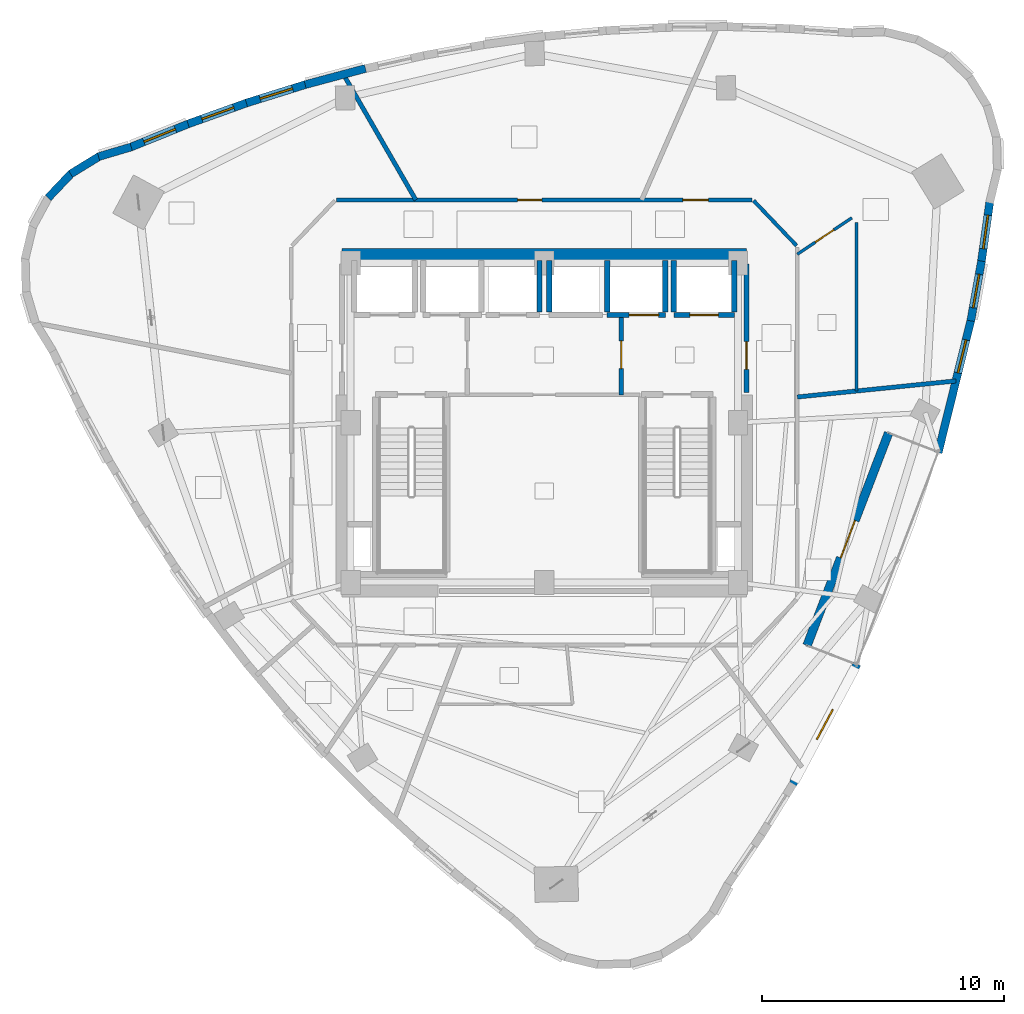
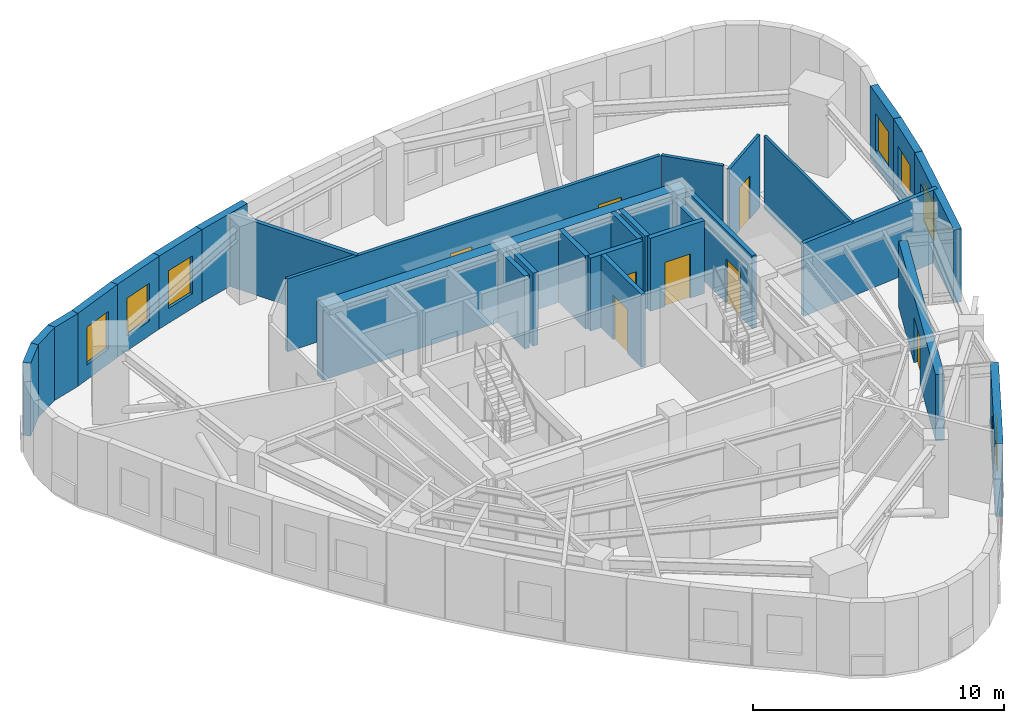
# One storey, part 6 of 10: 29 walls, 8 doors, 7 windows, 15 openings.
"""IFC4 building model written with IfcOpenShell, lengths in metres."""

from ifc_helpers import new_model, si_unit, direction, frame, frame_2d, origin, place, context, subcontext, project, spatial, rectangle, extrude, material, layer, layer_set, type_object, element, fill, save


model = new_model("IFC4")

# Units and contexts
model_context = context("Model", 3, precision=1e-05, world=origin(), true_north=direction((0.0, 1.0)))
body_context = subcontext(model_context, "Body", "Model", "MODEL_VIEW")
ifc_project = project(units=[si_unit("LENGTHUNIT", "METRE"), si_unit("AREAUNIT", "SQUARE_METRE"), si_unit("VOLUMEUNIT", "CUBIC_METRE"), si_unit("PLANEANGLEUNIT", "RADIAN"), si_unit("MASSUNIT", "GRAM", prefix="KILO")], contexts=[model_context])

# Site, building, storey
site_placement = place(None, origin())
site = spatial("IfcSite", under=ifc_project, at=site_placement, CompositionType="ELEMENT")
building_placement = place(site_placement, origin())
building = spatial("IfcBuilding", under=site, at=building_placement, Name="Ndelora Gate Hotel", CompositionType="ELEMENT")
storey_placement = place(building_placement, frame((0.0, 0.0, 243.550048828125)))
storey = spatial("IfcBuildingStorey", under=building, at=storey_placement, Name="L61", CompositionType="ELEMENT", Elevation=243.550048828125)

# Walls
ifc_material_1 = material(Name="Acoustic Double-Stud Gypsum Assembly", Category="gypsum")
ifc_layer_1 = layer(ifc_material_1, 0.179931640625)
ifc_layer_set_1 = layer_set([ifc_layer_1], Name="Acoustic Double-Stud Gypsum Assembly")
wall_type_1 = type_object("IfcWallType", Name="WL-ACOUST-180", PredefinedType="PARTITIONING", material=ifc_layer_set_1)
wall_1_placement = place(storey_placement, frame((10.449951171875, 1.060791015625, 0.0), z_axis=(0.0, 0.0, 1.0), x_axis=(0.994889305672, 0.100971626999, 0.0)))
element("IfcWall", 1, at=wall_1_placement, inside=storey, type_object=wall_type_1, Name="L61 Interior Wall IW-3", PredefinedType="PARTITIONING", context=body_context, shape_type="SweptSolid", body=[
    extrude(rectangle(XDim=6.58642578125, YDim=0.179931640625, at=frame_2d((3.293212890625, 0.0))), origin(), (0.0, 0.0, 1.0), 3.550048828125),
])
wall_2_placement = place(storey_placement, frame((-5.305419921875, 9.199951171875, 0.0), z_axis=(0.0, 0.0, 1.0), x_axis=(-0.499547119909, 0.866286716388, 0.0)))
element("IfcWall", 2, at=wall_2_placement, inside=storey, type_object=wall_type_1, Name="L61 Interior Wall IW-3", PredefinedType="PARTITIONING", context=body_context, shape_type="SweptSolid", body=[
    extrude(rectangle(XDim=5.9873046875, YDim=0.179931640625, at=frame_2d((2.99365234375, 0.0))), origin(), (0.0, 0.0, 1.0), 3.550048828125),
])
ifc_material_2 = material(Name="Clay Brick Masonry", Category="masonry")
ifc_layer_2 = layer(ifc_material_2, 0.330078125)
ifc_layer_set_2 = layer_set([ifc_layer_2], Name="Clay Brick Masonry")
wall_type_2 = type_object("IfcWallType", Name="WL-BRICK-330", PredefinedType="SOLIDWALL", material=ifc_layer_set_2)
for number, where, z_axis, x_axis, name in (
    (3, (-18.40966796875, 10.989013671875, 0.0), (0.0, 0.0, 1.0), (0.958780610545, 0.284147392812, 0.0), "L61 Tower Brick Pier-and-Spandrel Wall TWR-1"),
    (4, (-19.564453125, 10.273681640625, 0.0), (0.0, 0.0, 1.0), (0.852556375324, 0.522635271384, 0.0), "L61 Tower Brick Pier-and-Spandrel Wall TWR-2"),
    (5, (-20.494873046875, 9.2841796875, 0.0), (0.0, 0.0, 1.0), (0.688480442028, 0.725254907563, 0.0), "L61 Tower Brick Pier-and-Spandrel Wall TWR-3"),
):
    element("IfcWall", number, at=place(storey_placement, frame(where, z_axis=z_axis, x_axis=x_axis)), inside=storey, type_object=wall_type_2, Name=name, PredefinedType="SOLIDWALL", context=body_context, shape_type="SweptSolid", body=[
        extrude(rectangle(XDim=1.407470703125, YDim=0.330078125, at=frame_2d((0.70361328125, 0.0))), origin(), (0.0, 0.0, 1.0), 3.550048828125),
    ])

# Wall, opening, window
wall_3_placement = place(storey_placement, frame((12.919189453125, -9.967041015625, 0.0), z_axis=(0.0, 0.0, 1.0), x_axis=(-0.471219832314, -0.882015798971, 0.0)))
wall_3 = element("IfcWall", 6, at=wall_3_placement, inside=storey, type_object=wall_type_2, Name="L61 Tower Brick Pier-and-Spandrel Wall TWR-31", PredefinedType="SOLIDWALL", context=body_context, shape_type="SweptSolid", body=[
    extrude(rectangle(XDim=5.65673828125, YDim=0.330078125, at=frame_2d((2.828369140625, 0.0))), origin(), (0.0, 0.0, 1.0), 3.550048828125),
])
opening_1_placement = place(wall_3_placement, frame((2.12841796875, 0.0, 0.719970703125)))
opening_1 = element("IfcOpeningElement", 7, at=opening_1_placement, cuts=wall_3, Name="Opening W02", PredefinedType="OPENING", context=body_context, shape_type="SweptSolid", body=[
    extrude(rectangle(XDim=1.39990234375, YDim=1.8798828125, at=frame_2d((0.699951171875, 0.93994140625))), frame((0.0, 0.175048828125, 0.0), z_axis=(0.0, -1.0, 0.0), x_axis=(1.0, 0.0, 0.0)), (0.0, 0.0, 1.0), 0.35009765625),
])
ifc_material_3 = material(Name="Insulated Low-E Double Glazing in Bronze Aluminium Frame", Category="aluminium")
window_type = type_object("IfcWindowType", Name="WN-DEEP-1400", PartitioningType="SINGLE_PANEL", PredefinedType="WINDOW", material=ifc_material_3)
window_1_placement = place(opening_1_placement, origin())
window_1 = element("IfcWindow", 8, at=window_1_placement, inside=storey, type_object=window_type, Name="L61 Deep-Set Brick-Pier Window W02", OverallHeight=1.8798828125, OverallWidth=1.39990234375, PartitioningType="SINGLE_PANEL", PredefinedType="WINDOW", context=body_context, shape_type="SweptSolid", body=[
    extrude(rectangle(XDim=1.39990234375, YDim=1.8798828125, at=frame_2d((0.699951171875, 0.93994140625))), frame((0.0, 0.030029296875, 0.0), z_axis=(0.0, -1.0, 0.0), x_axis=(1.0, 0.0, 0.0)), (0.0, 0.0, 1.0), 0.06005859375),
])
fill(opening_1, window_1)

wall_4_placement = place(storey_placement, frame((17.627685546875, 4.253662109375, 0.0), z_axis=(0.0, 0.0, 1.0), x_axis=(-0.240006202067, -0.97077135463, 0.0)))
wall_4 = element("IfcWall", 9, at=wall_4_placement, inside=storey, type_object=wall_type_2, Name="L61 Tower Brick Pier-and-Spandrel Wall TWR-36", PredefinedType="SOLIDWALL", context=body_context, shape_type="SweptSolid", body=[
    extrude(rectangle(XDim=5.65673828125, YDim=0.330078125, at=frame_2d((2.828369140625, 0.0))), origin(), (0.0, 0.0, 1.0), 3.550048828125),
])
opening_2_placement = place(wall_4_placement, frame((0.860107421875, 0.0, 0.719970703125)))
opening_2 = element("IfcOpeningElement", 10, at=opening_2_placement, cuts=wall_4, Name="Opening W02", PredefinedType="OPENING", context=body_context, shape_type="SweptSolid", body=[
    extrude(rectangle(XDim=1.39990234375, YDim=1.8798828125, at=frame_2d((0.699951171875, 0.93994140625))), frame((0.0, 0.175048828125, 0.0), z_axis=(0.0, -1.0, 0.0), x_axis=(1.0, 0.0, 0.0)), (0.0, 0.0, 1.0), 0.35009765625),
])
window_2_placement = place(opening_2_placement, origin())
window_2 = element("IfcWindow", 11, at=window_2_placement, inside=storey, type_object=window_type, Name="L61 Deep-Set Brick-Pier Window W02", OverallHeight=1.8798828125, OverallWidth=1.39990234375, PartitioningType="SINGLE_PANEL", PredefinedType="WINDOW", context=body_context, shape_type="SweptSolid", body=[
    extrude(rectangle(XDim=1.39990234375, YDim=1.8798828125, at=frame_2d((0.699951171875, 0.93994140625))), frame((0.0, 0.030029296875, 0.0), z_axis=(0.0, -1.0, 0.0), x_axis=(1.0, 0.0, 0.0)), (0.0, 0.0, 1.0), 0.06005859375),
])
fill(opening_2, window_2)

wall_5_placement = place(storey_placement, frame((18.06005859375, 6.674072265625, 0.0), z_axis=(0.0, 0.0, 1.0), x_axis=(-0.176521442017, -0.984296794929, 0.0)))
wall_5 = element("IfcWall", 12, at=wall_5_placement, inside=storey, type_object=wall_type_2, Name="L61 Tower Brick Pier-and-Spandrel Wall TWR-37", PredefinedType="SOLIDWALL", context=body_context, shape_type="SweptSolid", body=[
    extrude(rectangle(XDim=2.5087890625, YDim=0.330078125, at=frame_2d((1.25439453125, 0.0))), origin(), (0.0, 0.0, 1.0), 3.550048828125),
])
opening_3_placement = place(wall_5_placement, frame((0.554443359375, 0.0, 0.719970703125)))
opening_3 = element("IfcOpeningElement", 13, at=opening_3_placement, cuts=wall_5, Name="Opening W02", PredefinedType="OPENING", context=body_context, shape_type="SweptSolid", body=[
    extrude(rectangle(XDim=1.39990234375, YDim=1.840087890625, at=frame_2d((0.699951171875, 0.919921875))), frame((0.0, 0.175048828125, 0.0), z_axis=(0.0, -1.0, 0.0), x_axis=(1.0, 0.0, 0.0)), (0.0, 0.0, 1.0), 0.35009765625),
])
window_3_placement = place(opening_3_placement, origin())
window_3 = element("IfcWindow", 14, at=window_3_placement, inside=storey, type_object=window_type, Name="L61 Deep-Set Brick-Pier Window W02", OverallHeight=1.840087890625, OverallWidth=1.39990234375, PartitioningType="SINGLE_PANEL", PredefinedType="WINDOW", context=body_context, shape_type="SweptSolid", body=[
    extrude(rectangle(XDim=1.39990234375, YDim=1.840087890625, at=frame_2d((0.699951171875, 0.919921875))), frame((0.0, 0.030029296875, 0.0), z_axis=(0.0, -1.0, 0.0), x_axis=(1.0, 0.0, 0.0)), (0.0, 0.0, 1.0), 0.06005859375),
])
fill(opening_3, window_3)

wall_6_placement = place(storey_placement, frame((18.40234375, 9.12939453125, 0.0), z_axis=(0.0, 0.0, 1.0), x_axis=(-0.138433861982, -0.990371680662, 0.0)))
wall_6 = element("IfcWall", 15, at=wall_6_placement, inside=storey, type_object=wall_type_2, Name="L61 Tower Brick Pier-and-Spandrel Wall TWR-38", PredefinedType="SOLIDWALL", context=body_context, shape_type="SweptSolid", body=[
    extrude(rectangle(XDim=2.529052734375, YDim=0.330078125, at=frame_2d((1.2646484375, 0.0))), origin(), (0.0, 0.0, 1.0), 3.550048828125),
])
opening_4_placement = place(wall_6_placement, frame((0.564453125, 0.0, 0.719970703125)))
opening_4 = element("IfcOpeningElement", 16, at=opening_4_placement, cuts=wall_6, Name="Opening W02", PredefinedType="OPENING", context=body_context, shape_type="SweptSolid", body=[
    extrude(rectangle(XDim=1.39990234375, YDim=1.840087890625, at=frame_2d((0.699951171875, 0.919921875))), frame((0.0, 0.175048828125, 0.0), z_axis=(0.0, -1.0, 0.0), x_axis=(1.0, 0.0, 0.0)), (0.0, 0.0, 1.0), 0.35009765625),
])
window_4_placement = place(opening_4_placement, origin())
window_4 = element("IfcWindow", 17, at=window_4_placement, inside=storey, type_object=window_type, Name="L61 Deep-Set Brick-Pier Window W02", OverallHeight=1.840087890625, OverallWidth=1.39990234375, PartitioningType="SINGLE_PANEL", PredefinedType="WINDOW", context=body_context, shape_type="SweptSolid", body=[
    extrude(rectangle(XDim=1.39990234375, YDim=1.840087890625, at=frame_2d((0.699951171875, 0.919921875))), frame((0.0, 0.030029296875, 0.0), z_axis=(0.0, -1.0, 0.0), x_axis=(1.0, 0.0, 0.0)), (0.0, 0.0, 1.0), 0.06005859375),
])
fill(opening_4, window_4)

# Wall
wall_7_placement = place(storey_placement, frame((-9.87744140625, 13.963134765625, 0.0), z_axis=(0.0, 0.0, 1.0), x_axis=(0.965959456539, 0.258693502667, 0.0)))
element("IfcWall", 18, at=wall_7_placement, inside=storey, type_object=wall_type_2, Name="L61 Tower Brick Pier-and-Spandrel Wall TWR-55", PredefinedType="SOLIDWALL", context=body_context, shape_type="SweptSolid", body=[
    extrude(rectangle(XDim=2.579345703125, YDim=0.330078125, at=frame_2d((1.28955078125, 0.0))), origin(), (0.0, 0.0, 1.0), 3.550048828125),
])

# Wall, opening, window
wall_8_placement = place(storey_placement, frame((-12.303955078125, 13.203857421875, 0.0), z_axis=(0.0, 0.0, 1.0), x_axis=(0.954466572658, 0.298317886956, 0.0)))
wall_8 = element("IfcWall", 19, at=wall_8_placement, inside=storey, type_object=wall_type_2, Name="L61 Tower Brick Pier-and-Spandrel Wall TWR-56", PredefinedType="SOLIDWALL", context=body_context, shape_type="SweptSolid", body=[
    extrude(rectangle(XDim=2.5927734375, YDim=0.330078125, at=frame_2d((1.29638671875, 0.0))), origin(), (0.0, 0.0, 1.0), 3.550048828125),
])
opening_5_placement = place(wall_8_placement, frame((0.59619140625, 0.0, 0.719970703125)))
opening_5 = element("IfcOpeningElement", 20, at=opening_5_placement, cuts=wall_8, Name="Opening W02", PredefinedType="OPENING", context=body_context, shape_type="SweptSolid", body=[
    extrude(rectangle(XDim=1.39990234375, YDim=1.840087890625, at=frame_2d((0.699951171875, 0.919921875))), frame((0.0, 0.175048828125, 0.0), z_axis=(0.0, -1.0, 0.0), x_axis=(1.0, 0.0, 0.0)), (0.0, 0.0, 1.0), 0.35009765625),
])
window_5_placement = place(opening_5_placement, origin())
window_5 = element("IfcWindow", 21, at=window_5_placement, inside=storey, type_object=window_type, Name="L61 Deep-Set Brick-Pier Window W02", OverallHeight=1.840087890625, OverallWidth=1.39990234375, PartitioningType="SINGLE_PANEL", PredefinedType="WINDOW", context=body_context, shape_type="SweptSolid", body=[
    extrude(rectangle(XDim=1.39990234375, YDim=1.840087890625, at=frame_2d((0.699951171875, 0.919921875))), frame((0.0, 0.030029296875, 0.0), z_axis=(0.0, -1.0, 0.0), x_axis=(1.0, 0.0, 0.0)), (0.0, 0.0, 1.0), 0.06005859375),
])
fill(opening_5, window_5)

wall_9_placement = place(storey_placement, frame((-14.7138671875, 12.340087890625, 0.0), z_axis=(0.0, 0.0, 1.0), x_axis=(0.94149404684, 0.337029612594, 0.0)))
wall_9 = element("IfcWall", 22, at=wall_9_placement, inside=storey, type_object=wall_type_2, Name="L61 Tower Brick Pier-and-Spandrel Wall TWR-57", PredefinedType="SOLIDWALL", context=body_context, shape_type="SweptSolid", body=[
    extrude(rectangle(XDim=2.60986328125, YDim=0.330078125, at=frame_2d((1.304931640625, 0.0))), origin(), (0.0, 0.0, 1.0), 3.550048828125),
])
opening_6_placement = place(wall_9_placement, frame((0.60498046875, 0.0, 0.719970703125)))
opening_6 = element("IfcOpeningElement", 23, at=opening_6_placement, cuts=wall_9, Name="Opening W02", PredefinedType="OPENING", context=body_context, shape_type="SweptSolid", body=[
    extrude(rectangle(XDim=1.39990234375, YDim=1.840087890625, at=frame_2d((0.699951171875, 0.919921875))), frame((0.0, 0.175048828125, 0.0), z_axis=(0.0, -1.0, 0.0), x_axis=(1.0, 0.0, 0.0)), (0.0, 0.0, 1.0), 0.35009765625),
])
window_6_placement = place(opening_6_placement, origin())
window_6 = element("IfcWindow", 24, at=window_6_placement, inside=storey, type_object=window_type, Name="L61 Deep-Set Brick-Pier Window W02", OverallHeight=1.840087890625, OverallWidth=1.39990234375, PartitioningType="SINGLE_PANEL", PredefinedType="WINDOW", context=body_context, shape_type="SweptSolid", body=[
    extrude(rectangle(XDim=1.39990234375, YDim=1.840087890625, at=frame_2d((0.699951171875, 0.919921875))), frame((0.0, 0.030029296875, 0.0), z_axis=(0.0, -1.0, 0.0), x_axis=(1.0, 0.0, 0.0)), (0.0, 0.0, 1.0), 0.06005859375),
])
fill(opening_6, window_6)

wall_10_placement = place(storey_placement, frame((-17.107421875, 11.372314453125, 0.0), z_axis=(0.0, 0.0, 1.0), x_axis=(0.927223872231, 0.374507530985, 0.0)))
wall_10 = element("IfcWall", 25, at=wall_10_placement, inside=storey, type_object=wall_type_2, Name="L61 Tower Brick Pier-and-Spandrel Wall TWR-58", PredefinedType="SOLIDWALL", context=body_context, shape_type="SweptSolid", body=[
    extrude(rectangle(XDim=2.631591796875, YDim=0.330078125, at=frame_2d((1.31591796875, 0.0))), origin(), (0.0, 0.0, 1.0), 3.550048828125),
])
opening_7_placement = place(wall_10_placement, frame((0.61572265625, 0.0, 0.719970703125)))
opening_7 = element("IfcOpeningElement", 26, at=opening_7_placement, cuts=wall_10, Name="Opening W02", PredefinedType="OPENING", context=body_context, shape_type="SweptSolid", body=[
    extrude(rectangle(XDim=1.39990234375, YDim=1.840087890625, at=frame_2d((0.699951171875, 0.919921875))), frame((0.0, 0.175048828125, 0.0), z_axis=(0.0, -1.0, 0.0), x_axis=(1.0, 0.0, 0.0)), (0.0, 0.0, 1.0), 0.35009765625),
])
window_7_placement = place(opening_7_placement, origin())
window_7 = element("IfcWindow", 27, at=window_7_placement, inside=storey, type_object=window_type, Name="L61 Deep-Set Brick-Pier Window W02", OverallHeight=1.840087890625, OverallWidth=1.39990234375, PartitioningType="SINGLE_PANEL", PredefinedType="WINDOW", context=body_context, shape_type="SweptSolid", body=[
    extrude(rectangle(XDim=1.39990234375, YDim=1.840087890625, at=frame_2d((0.699951171875, 0.919921875))), frame((0.0, 0.030029296875, 0.0), z_axis=(0.0, -1.0, 0.0), x_axis=(1.0, 0.0, 0.0)), (0.0, 0.0, 1.0), 0.06005859375),
])
fill(opening_7, window_7)

# Wall, opening, door
ifc_layer_3 = layer(ifc_material_2, 0.360107421875)
ifc_layer_set_3 = layer_set([ifc_layer_3], Name="Clay Brick Masonry")
wall_type_3 = type_object("IfcWallType", Name="WL-BRICK-360", PredefinedType="SOLIDWALL", material=ifc_layer_set_3)
wall_11_placement = place(storey_placement, frame((14.22216796875, -0.425048828125, 0.0), z_axis=(0.0, 0.0, 1.0), x_axis=(-0.358368113904, -0.933580363406, 0.0)))
wall_11 = element("IfcWall", 28, at=wall_11_placement, inside=storey, type_object=wall_type_3, Name="L61 Sky-Garden Loggia Rear Brick Wall", PredefinedType="SOLIDWALL", context=body_context, shape_type="SweptSolid", body=[
    extrude(rectangle(XDim=9.39990234375, YDim=0.360107421875, at=frame_2d((4.699951171875, 0.0))), origin(), (0.0, 0.0, 1.0), 3.22998046875),
])
opening_8_placement = place(wall_11_placement, frame((3.875, 0.0, 0.0)))
opening_8 = element("IfcOpeningElement", 29, at=opening_8_placement, cuts=wall_11, Name="Opening TD1", PredefinedType="OPENING", context=body_context, shape_type="SweptSolid", body=[
    extrude(rectangle(XDim=1.64990234375, YDim=2.25, at=frame_2d((0.824951171875, 1.125))), frame((0.0, 0.18994140625, 0.0), z_axis=(0.0, -1.0, 0.0), x_axis=(1.0, 0.0, 0.0)), (0.0, 0.0, 1.0), 0.380126953125),
])
ifc_material_4 = material(Name="Architectural Bronze Glazed Door", Category="metal")
door_type_1 = type_object("IfcDoorType", Name="DR-TER-1650", OperationType="DOUBLE_DOOR_SINGLE_SWING", PredefinedType="DOOR", material=ifc_material_4)
door_1_placement = place(opening_8_placement, origin())
door_1 = element("IfcDoor", 30, at=door_1_placement, inside=storey, type_object=door_type_1, Name="L61 Sky-Garden Terrace Double Door TD1", OperationType="DOUBLE_DOOR_SINGLE_SWING", OverallHeight=2.25, OverallWidth=1.64990234375, PredefinedType="DOOR", context=body_context, shape_type="SweptSolid", body=[
    extrude(rectangle(XDim=1.64990234375, YDim=2.25, at=frame_2d((0.824951171875, 1.125))), frame((0.0, 0.02490234375, 0.0), z_axis=(0.0, -1.0, 0.0), x_axis=(1.0, 0.0, 0.0)), (0.0, 0.0, 1.0), 0.050048828125),
])
fill(opening_8, door_1)

# Wall
ifc_material_5 = material(Name="Concrete C50/60", Category="concrete")
ifc_layer_4 = layer(ifc_material_5, 0.5)
ifc_layer_set_4 = layer_set([ifc_layer_4], Name="Concrete C50/60")
wall_type_4 = type_object("IfcWallType", Name="WL-CORE-500", PredefinedType="SHEAR", material=ifc_layer_set_4)
wall_12_placement = place(storey_placement, frame((-8.35009765625, 6.949951171875, 0.0), z_axis=(0.0, 0.0, 1.0), x_axis=(1.0, 0.0, 0.0)))
element("IfcWall", 31, at=wall_12_placement, inside=storey, type_object=wall_type_4, Name="L61 Core Shear Wall N", PredefinedType="SHEAR", context=body_context, shape_type="SweptSolid", body=[
    extrude(rectangle(XDim=16.7001953125, YDim=0.5, at=frame_2d((8.35009765625, 0.0))), origin(), (0.0, 0.0, 1.0), 3.550048828125),
])

# Wall, opening, door
ifc_material_6 = material(Name="Concrete C40/50", Category="concrete")
ifc_layer_5 = layer(ifc_material_6, 0.199951171875)
ifc_layer_set_5 = layer_set([ifc_layer_5], Name="Concrete C40/50")
wall_type_5 = type_object("IfcWallType", Name="WL-FIRE-200", PredefinedType="PARTITIONING", material=ifc_layer_set_5)
wall_13_placement = place(storey_placement, frame((3.179931640625, 1.14990234375, 0.0), z_axis=(0.0, 0.0, 1.0), x_axis=(0.0, 1.0, 0.0)))
wall_13 = element("IfcWall", 32, at=wall_13_placement, inside=storey, type_object=wall_type_5, Name="L61 Interior Wall IW-2", PredefinedType="PARTITIONING", context=body_context, shape_type="SweptSolid", body=[
    extrude(rectangle(XDim=3.300048828125, YDim=0.199951171875, at=frame_2d((1.64990234375, 0.0))), origin(), (0.0, 0.0, 1.0), 3.550048828125),
])
opening_9_placement = place(wall_13_placement, frame((1.080078125, 0.0, 0.0)))
opening_9 = element("IfcOpeningElement", 33, at=opening_9_placement, cuts=wall_13, Name="Opening FD1", PredefinedType="OPENING", context=body_context, shape_type="SweptSolid", body=[
    extrude(rectangle(XDim=1.14990234375, YDim=2.14990234375, at=frame_2d((0.574951171875, 1.074951171875))), frame((0.0, 0.10986328125, 0.0), z_axis=(0.0, -1.0, 0.0), x_axis=(1.0, 0.0, 0.0)), (0.0, 0.0, 1.0), 0.219970703125),
])
ifc_material_7 = material(Name="Fire-Rated Timber-Veneer Steel Core", Category="steel")
door_type_2 = type_object("IfcDoorType", Name="DR-FD60", OperationType="SINGLE_SWING_LEFT", PredefinedType="DOOR", material=ifc_material_7)
door_2_placement = place(opening_9_placement, origin())
door_2 = element("IfcDoor", 34, at=door_2_placement, inside=storey, type_object=door_type_2, Name="L61 Firefighting Lobby East Door", OperationType="SINGLE_SWING_LEFT", OverallHeight=2.14990234375, OverallWidth=1.14990234375, PredefinedType="DOOR", context=body_context, shape_type="SweptSolid", body=[
    extrude(rectangle(XDim=1.14990234375, YDim=2.14990234375, at=frame_2d((0.574951171875, 1.074951171875))), frame((0.0, 0.02490234375, 0.0), z_axis=(0.0, -1.0, 0.0), x_axis=(1.0, 0.0, 0.0)), (0.0, 0.0, 1.0), 0.050048828125),
])
fill(opening_9, door_2)

wall_14_placement = place(storey_placement, frame((8.35009765625, 1.25, 0.0), z_axis=(0.0, 0.0, 1.0), x_axis=(0.0, 1.0, 0.0)))
wall_14 = element("IfcWall", 35, at=wall_14_placement, inside=storey, type_object=wall_type_5, Name="L61 Interior Wall IW-2", PredefinedType="PARTITIONING", context=body_context, shape_type="SweptSolid", body=[
    extrude(rectangle(XDim=5.300048828125, YDim=0.199951171875, at=frame_2d((2.64990234375, 0.0))), origin(), (0.0, 0.0, 1.0), 3.550048828125),
])
opening_10_placement = place(wall_14_placement, frame((0.949951171875, 0.0, 0.0)))
opening_10 = element("IfcOpeningElement", 36, at=opening_10_placement, cuts=wall_14, Name="Opening FD1", PredefinedType="OPENING", context=body_context, shape_type="SweptSolid", body=[
    extrude(rectangle(XDim=1.14990234375, YDim=2.14990234375, at=frame_2d((0.574951171875, 1.074951171875))), frame((0.0, 0.10986328125, 0.0), z_axis=(0.0, -1.0, 0.0), x_axis=(1.0, 0.0, 0.0)), (0.0, 0.0, 1.0), 0.219970703125),
])
door_3_placement = place(opening_10_placement, origin())
door_3 = element("IfcDoor", 37, at=door_3_placement, inside=storey, type_object=door_type_2, Name="L61 Firefighting Lobby East Corridor Door", OperationType="SINGLE_SWING_RIGHT", OverallHeight=2.14990234375, OverallWidth=1.14990234375, PredefinedType="DOOR", context=body_context, shape_type="SweptSolid", body=[
    extrude(rectangle(XDim=1.14990234375, YDim=2.14990234375, at=frame_2d((0.574951171875, 1.074951171875))), frame((0.0, 0.02490234375, 0.0), z_axis=(0.0, -1.0, 0.0), x_axis=(1.0, 0.0, 0.0)), (0.0, 0.0, 1.0), 0.050048828125),
])
fill(opening_10, door_3)

# Wall
ifc_material_8 = material(Name="Fire-Rated Gypsum Stud Partition", Category="gypsum")
ifc_layer_6 = layer(ifc_material_8, 0.14990234375)
ifc_layer_set_6 = layer_set([ifc_layer_6], Name="Fire-Rated Gypsum Stud Partition")
wall_type_6 = type_object("IfcWallType", Name="WL-PART-150", PredefinedType="PARTITIONING", material=ifc_layer_set_6)
wall_15_placement = place(storey_placement, frame((8.647705078125, 9.1708984375, 0.0), z_axis=(0.0, 0.0, 1.0), x_axis=(0.689960858356, -0.723846678473, 0.0)))
element("IfcWall", 38, at=wall_15_placement, inside=storey, type_object=wall_type_6, Name="L61 Interior Wall IW-5", PredefinedType="PARTITIONING", context=body_context, shape_type="SweptSolid", body=[
    extrude(rectangle(XDim=2.572021484375, YDim=0.14990234375, at=frame_2d((1.2861328125, 0.0))), origin(), (0.0, 0.0, 1.0), 3.550048828125),
])

# Wall, openings, doors
wall_16_placement = place(storey_placement, frame((-8.580078125, 9.199951171875, 0.0), z_axis=(0.0, 0.0, 1.0), x_axis=(1.0, 0.0, 0.0)))
wall_16 = element("IfcWall", 39, at=wall_16_placement, inside=storey, type_object=wall_type_6, Name="L61 Interior Wall IW-5", PredefinedType="PARTITIONING", context=body_context, shape_type="SweptSolid", body=[
    extrude(rectangle(XDim=17.16015625, YDim=0.14990234375, at=frame_2d((8.580078125, 0.0))), origin(), (0.0, 0.0, 1.0), 3.550048828125),
])
opening_11_placement = place(wall_16_placement, frame((7.48388671875, 0.0, 0.0)))
opening_11 = element("IfcOpeningElement", 40, at=opening_11_placement, cuts=wall_16, Name="Opening D01", PredefinedType="OPENING", context=body_context, shape_type="SweptSolid", body=[
    extrude(rectangle(XDim=1.0, YDim=2.14990234375, at=frame_2d((0.5, 1.074951171875))), frame((0.0, 0.0849609375, 0.0), z_axis=(0.0, -1.0, 0.0), x_axis=(1.0, 0.0, 0.0)), (0.0, 0.0, 1.0), 0.169921875),
])
opening_12_placement = place(wall_16_placement, frame((14.3017578125, 0.0, 0.0)))
opening_12 = element("IfcOpeningElement", 41, at=opening_12_placement, cuts=wall_16, Name="Opening D07", PredefinedType="OPENING", context=body_context, shape_type="SweptSolid", body=[
    extrude(rectangle(XDim=1.06005859375, YDim=2.14990234375, at=frame_2d((0.530029296875, 1.074951171875))), frame((0.0, 0.0849609375, 0.0), z_axis=(0.0, -1.0, 0.0), x_axis=(1.0, 0.0, 0.0)), (0.0, 0.0, 1.0), 0.169921875),
])
ifc_material_9 = material(Name="Acoustic Hardwood Guest Entrance Door", Category="wood")
door_type_3 = type_object("IfcDoorType", Name="DR-COR-1000", OperationType="SINGLE_SWING_LEFT", PredefinedType="DOOR", material=ifc_material_9)
door_4_placement = place(opening_11_placement, origin())
door_4 = element("IfcDoor", 42, at=door_4_placement, inside=storey, type_object=door_type_3, Name="L61 Private Collectors Art Library Entrance Door", OperationType="SINGLE_SWING_LEFT", OverallHeight=2.14990234375, OverallWidth=1.0, PredefinedType="DOOR", context=body_context, shape_type="SweptSolid", body=[
    extrude(rectangle(XDim=1.0, YDim=2.14990234375, at=frame_2d((0.5, 1.074951171875))), frame((0.0, 0.02490234375, 0.0), z_axis=(0.0, -1.0, 0.0), x_axis=(1.0, 0.0, 0.0)), (0.0, 0.0, 1.0), 0.050048828125),
])
fill(opening_11, door_4)
ifc_material_10 = material(Name="Diplomatic Suite Acoustic Entrance Door", Category="wood")
door_type_4 = type_object("IfcDoorType", Name="DR-SUITE-1060", OperationType="SINGLE_SWING_LEFT", PredefinedType="DOOR", material=ifc_material_10)
door_5_placement = place(opening_12_placement, origin())
door_5 = element("IfcDoor", 43, at=door_5_placement, inside=storey, type_object=door_type_4, Name="L61 Corner Diplomatic Two-Bay Suite 6402 Entrance Door", OperationType="SINGLE_SWING_LEFT", OverallHeight=2.14990234375, OverallWidth=1.06005859375, PredefinedType="DOOR", context=body_context, shape_type="SweptSolid", body=[
    extrude(rectangle(XDim=1.06005859375, YDim=2.14990234375, at=frame_2d((0.530029296875, 1.074951171875))), frame((0.0, 0.02490234375, 0.0), z_axis=(0.0, -1.0, 0.0), x_axis=(1.0, 0.0, 0.0)), (0.0, 0.0, 1.0), 0.050048828125),
])
fill(opening_12, door_5)

# Wall, opening, door
ifc_layer_7 = layer(ifc_material_6, 0.219970703125)
ifc_layer_set_7 = layer_set([ifc_layer_7], Name="Concrete C40/50")
wall_type_7 = type_object("IfcWallType", Name="WL-SHAFT-220", PredefinedType="PARTITIONING", material=ifc_layer_set_7)
wall_17_placement = place(storey_placement, frame((5.35009765625, 4.449951171875, 0.0), z_axis=(0.0, 0.0, 1.0), x_axis=(1.0, 0.0, 0.0)))
wall_17 = element("IfcWall", 44, at=wall_17_placement, inside=storey, type_object=wall_type_7, Name="L61 Interior Wall IW-1", PredefinedType="PARTITIONING", context=body_context, shape_type="SweptSolid", body=[
    extrude(rectangle(XDim=2.5, YDim=0.219970703125, at=frame_2d((1.25, 0.0))), origin(), (0.0, 0.0, 1.0), 3.550048828125),
])
opening_13_placement = place(wall_17_placement, frame((0.659912109375, 0.0, 0.0)))
opening_13 = element("IfcOpeningElement", 45, at=opening_13_placement, cuts=wall_17, Name="Opening LD5", PredefinedType="OPENING", context=body_context, shape_type="SweptSolid", body=[
    extrude(rectangle(XDim=1.179931640625, YDim=2.14990234375, at=frame_2d((0.58984375, 1.074951171875))), frame((0.0, 0.1201171875, 0.0), z_axis=(0.0, -1.0, 0.0), x_axis=(1.0, 0.0, 0.0)), (0.0, 0.0, 1.0), 0.239990234375),
])
ifc_material_11 = material(Name="Firefighting Lift Stainless Sliding Landing Door", Category="metal")
door_type_5 = type_object("IfcDoorType", Name="DR-LD5", OperationType="DOUBLE_DOOR_SLIDING", PredefinedType="DOOR", material=ifc_material_11)
door_6_placement = place(opening_13_placement, origin())
door_6 = element("IfcDoor", 46, at=door_6_placement, inside=storey, type_object=door_type_5, Name="L61 Lift Landing Sliding Door FFL2", OperationType="DOUBLE_DOOR_SLIDING", OverallHeight=2.14990234375, OverallWidth=1.179931640625, PredefinedType="DOOR", context=body_context, shape_type="SweptSolid", body=[
    extrude(rectangle(XDim=1.179931640625, YDim=2.14990234375, at=frame_2d((0.58984375, 1.074951171875))), frame((0.0, 0.02490234375, 0.0), z_axis=(0.0, -1.0, 0.0), x_axis=(1.0, 0.0, 0.0)), (0.0, 0.0, 1.0), 0.050048828125),
])
fill(opening_13, door_6)

# Walls
wall_18_placement = place(storey_placement, frame((5.35009765625, 4.570068359375, 0.0), z_axis=(0.0, 0.0, 1.0), x_axis=(0.0, 1.0, 0.0)))
element("IfcWall", 47, at=wall_18_placement, inside=storey, type_object=wall_type_7, Name="L61 Interior Wall IW-1", PredefinedType="PARTITIONING", context=body_context, shape_type="SweptSolid", body=[
    extrude(rectangle(XDim=2.1298828125, YDim=0.219970703125, at=frame_2d((1.06494140625, 0.0))), origin(), (0.0, 0.0, 1.0), 3.550048828125),
])
wall_19_placement = place(storey_placement, frame((7.85009765625, 4.570068359375, 0.0), z_axis=(0.0, 0.0, 1.0), x_axis=(0.0, 1.0, 0.0)))
element("IfcWall", 48, at=wall_19_placement, inside=storey, type_object=wall_type_7, Name="L61 Interior Wall IW-1", PredefinedType="PARTITIONING", context=body_context, shape_type="SweptSolid", body=[
    extrude(rectangle(XDim=2.1298828125, YDim=0.219970703125, at=frame_2d((1.06494140625, 0.0))), origin(), (0.0, 0.0, 1.0), 3.179931640625),
])

# Wall, opening, door
wall_20_placement = place(storey_placement, frame((2.60009765625, 4.449951171875, 0.0), z_axis=(0.0, 0.0, 1.0), x_axis=(1.0, 0.0, 0.0)))
wall_20 = element("IfcWall", 49, at=wall_20_placement, inside=storey, type_object=wall_type_7, Name="L61 Interior Wall IW-1", PredefinedType="PARTITIONING", context=body_context, shape_type="SweptSolid", body=[
    extrude(rectangle(XDim=2.39990234375, YDim=0.219970703125, at=frame_2d((1.199951171875, 0.0))), origin(), (0.0, 0.0, 1.0), 3.550048828125),
])
opening_14_placement = place(wall_20_placement, frame((0.89990234375, 0.0, 0.0)))
opening_14 = element("IfcOpeningElement", 50, at=opening_14_placement, cuts=wall_20, Name="Opening LD6", PredefinedType="OPENING", context=body_context, shape_type="SweptSolid", body=[
    extrude(rectangle(XDim=1.219970703125, YDim=2.14990234375, at=frame_2d((0.60986328125, 1.074951171875))), frame((0.0, 0.1201171875, 0.0), z_axis=(0.0, -1.0, 0.0), x_axis=(1.0, 0.0, 0.0)), (0.0, 0.0, 1.0), 0.239990234375),
])
ifc_material_12 = material(Name="Heavy-Duty Service Lift Sliding Landing Door", Category="wood")
door_type_6 = type_object("IfcDoorType", Name="DR-LD6", OperationType="DOUBLE_DOOR_SLIDING", PredefinedType="DOOR", material=ifc_material_12)
door_7_placement = place(opening_14_placement, origin())
door_7 = element("IfcDoor", 51, at=door_7_placement, inside=storey, type_object=door_type_6, Name="L61 Lift Landing Sliding Door SVL2", OperationType="DOUBLE_DOOR_SLIDING", OverallHeight=2.14990234375, OverallWidth=1.219970703125, PredefinedType="DOOR", context=body_context, shape_type="SweptSolid", body=[
    extrude(rectangle(XDim=1.219970703125, YDim=2.14990234375, at=frame_2d((0.60986328125, 1.074951171875))), frame((0.0, 0.02490234375, 0.0), z_axis=(0.0, -1.0, 0.0), x_axis=(1.0, 0.0, 0.0)), (0.0, 0.0, 1.0), 0.050048828125),
])
fill(opening_14, door_7)

# Walls
for number, where, z_axis, x_axis, name in (
    (52, (2.60009765625, 4.570068359375, 0.0), (0.0, 0.0, 1.0), (0.0, 1.0, 0.0), "L61 Interior Wall IW-1"),
    (53, (5.0, 4.570068359375, 0.0), (0.0, 0.0, 1.0), (0.0, 1.0, 0.0), "L61 Interior Wall IW-1"),
    (54, (-0.199951171875, 4.570068359375, 0.0), (0.0, 0.0, 1.0), (0.0, 1.0, 0.0), "L61 Interior Wall IW-1"),
    (55, (0.199951171875, 4.570068359375, 0.0), (0.0, 0.0, 1.0), (0.0, 1.0, 0.0), "L61 Interior Wall IW-1"),
):
    element("IfcWall", number, at=place(storey_placement, frame(where, z_axis=z_axis, x_axis=x_axis)), inside=storey, type_object=wall_type_7, Name=name, PredefinedType="PARTITIONING", context=body_context, shape_type="SweptSolid", body=[
        extrude(rectangle(XDim=2.1298828125, YDim=0.219970703125, at=frame_2d((1.06494140625, 0.0))), origin(), (0.0, 0.0, 1.0), 3.550048828125),
    ])

# Wall, opening, door
ifc_material_13 = material(Name="Moisture-Resistant Bathroom Tile Partition", Category="gypsum")
ifc_layer_8 = layer(ifc_material_13, 0.1201171875)
ifc_layer_set_8 = layer_set([ifc_layer_8], Name="Moisture-Resistant Bathroom Tile Partition")
wall_type_8 = type_object("IfcWallType", Name="WL-WET-120", PredefinedType="PARTITIONING", material=ifc_layer_set_8)
wall_21_placement = place(storey_placement, frame((10.449951171875, 6.959716796875, 0.0), z_axis=(0.0, 0.0, 1.0), x_axis=(0.832313360894, 0.554305393513, 0.0)))
wall_21 = element("IfcWall", 56, at=wall_21_placement, inside=storey, type_object=wall_type_8, Name="L61 Interior Wall IW-7", PredefinedType="PARTITIONING", context=body_context, shape_type="SweptSolid", body=[
    extrude(rectangle(XDim=2.7119140625, YDim=0.1201171875, at=frame_2d((1.35595703125, 0.0))), origin(), (0.0, 0.0, 1.0), 3.550048828125),
])
opening_15_placement = place(wall_21_placement, frame((0.89599609375, 0.0, 0.0)))
opening_15 = element("IfcOpeningElement", 57, at=opening_15_placement, cuts=wall_21, Name="Opening D03", PredefinedType="OPENING", context=body_context, shape_type="SweptSolid", body=[
    extrude(rectangle(XDim=0.919921875, YDim=2.10009765625, at=frame_2d((0.4599609375, 1.050048828125))), frame((0.0, 0.070068359375, 0.0), z_axis=(0.0, -1.0, 0.0), x_axis=(1.0, 0.0, 0.0)), (0.0, 0.0, 1.0), 0.14013671875),
])
ifc_material_14 = material(Name="Moisture-Resistant Hardwood En-Suite Door", Category="wood")
door_type_7 = type_object("IfcDoorType", Name="DR-BATH-920", OperationType="SINGLE_SWING_LEFT", PredefinedType="DOOR", material=ifc_material_14)
door_8_placement = place(opening_15_placement, origin())
door_8 = element("IfcDoor", 58, at=door_8_placement, inside=storey, type_object=door_type_7, Name="L61 En-suite Bathroom 6402 Door", OperationType="SINGLE_SWING_LEFT", OverallHeight=2.10009765625, OverallWidth=0.919921875, PredefinedType="DOOR", context=body_context, shape_type="SweptSolid", body=[
    extrude(rectangle(XDim=0.919921875, YDim=2.10009765625, at=frame_2d((0.4599609375, 1.050048828125))), frame((0.0, 0.02490234375, 0.0), z_axis=(0.0, -1.0, 0.0), x_axis=(1.0, 0.0, 0.0)), (0.0, 0.0, 1.0), 0.050048828125),
])
fill(opening_15, door_8)

# Wall
wall_22_placement = place(storey_placement, frame((12.89990234375, 1.3095703125, 0.0), z_axis=(0.0, 0.0, 1.0), x_axis=(0.0, 1.0, 0.0)))
element("IfcWall", 59, at=wall_22_placement, inside=storey, type_object=wall_type_8, Name="L61 Interior Wall IW-7", PredefinedType="PARTITIONING", context=body_context, shape_type="SweptSolid", body=[
    extrude(rectangle(XDim=6.950927734375, YDim=0.1201171875, at=frame_2d((3.4755859375, 0.0))), origin(), (0.0, 0.0, 1.0), 3.550048828125),
])

save(model, "model.ifc")
